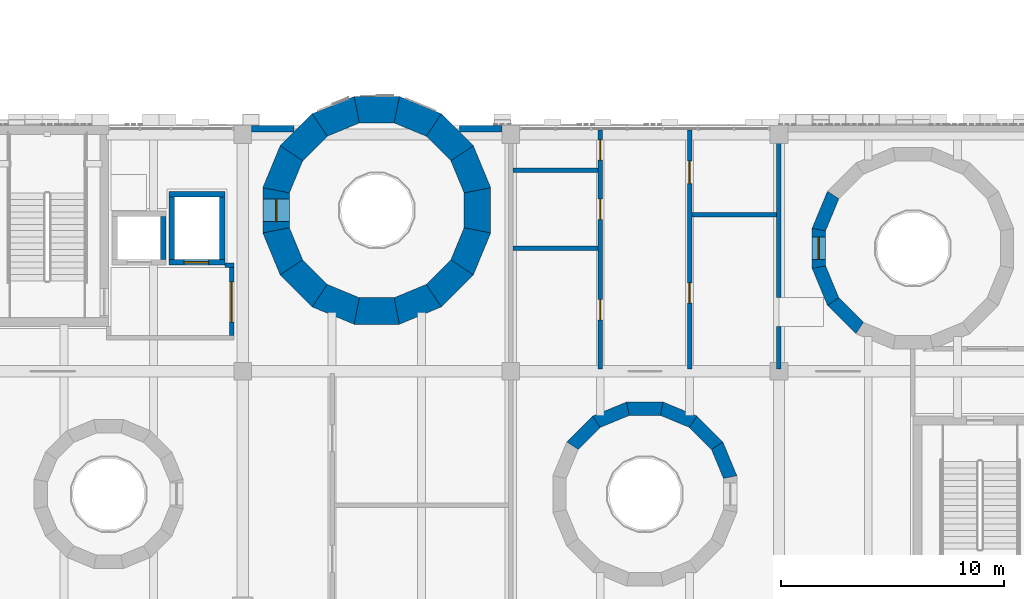
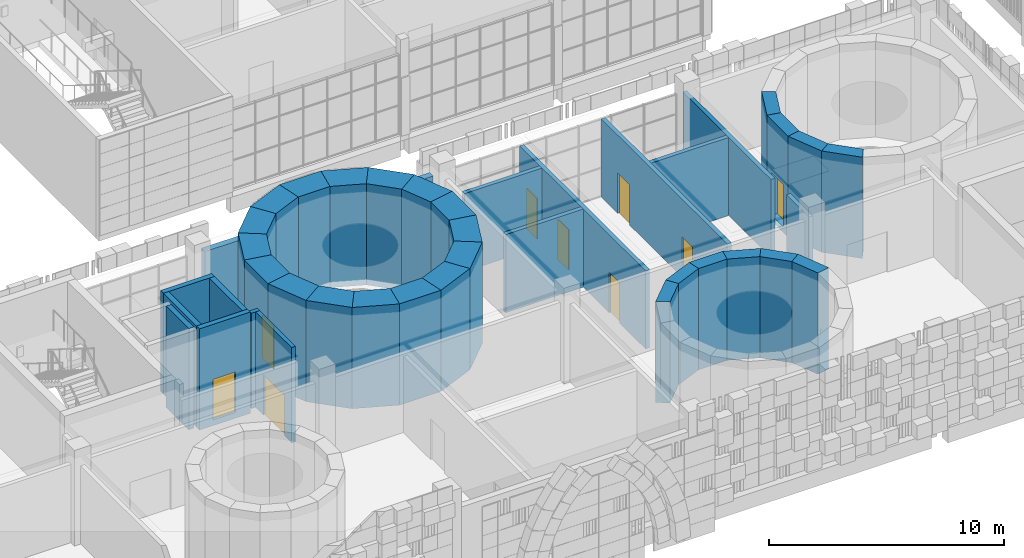
# One storey, part 66 of 125: 42 walls, 9 doors, 9 openings.
"""IFC4 building model written with IfcOpenShell, lengths in metres."""

import ifcopenshell
import ifcopenshell.guid

model = None  # the IFC model being written
_history = None  # IfcOwnerHistory: only IFC2X3 demands one
_inside = {}  # id of a spatial element -> (the spatial element, [elements in it])
_under = {}  # id of a project, library or spatial element -> (it, [spatial elements below it])
_declared = {}  # id of a project -> (the project, [libraries it declares])
_typed = {}  # id of a type object -> (the type object, [elements of that type])
_made_of = {}  # id of a material, layer set ... -> (it, [elements and type objects made of it])


def new_model(schema):
    """Start an empty IFC model of exactly this schema.

    Asked for "IFC4X3", IfcOpenShell would pick the latest addendum, in which some entities
    have other attributes; the version numbers below select the first issue.
    IFC2X3 requires an IfcOwnerHistory on every rooted entity: one is made here for all.
    """
    global model, _history
    if schema == "IFC4X3":
        model = ifcopenshell.file(schema_version=(4, 3, 0, 0))
    else:
        model = ifcopenshell.file(schema=schema)
    _inside.clear()
    _under.clear()
    _declared.clear()
    _typed.clear()
    _made_of.clear()
    _history = None
    if model.schema == "IFC2X3":
        org = make("IfcOrganization", Name="unknown")
        user = make(
            "IfcPersonAndOrganization",
            ThePerson=make("IfcPerson", FamilyName="unknown"),
            TheOrganization=org,
        )
        app = make(
            "IfcApplication",
            ApplicationDeveloper=org,
            Version="unknown",
            ApplicationFullName="unknown",
            ApplicationIdentifier="unknown",
        )
        _history = make(
            "IfcOwnerHistory",
            OwningUser=user,
            OwningApplication=app,
            ChangeAction="ADDED",
            CreationDate=0,
        )
    return model


def make(cls, **values):
    """One entity of the class cls with the attributes given. An attribute that is None is left unset."""
    return model.create_entity(
        cls, **{name: value for name, value in values.items() if value is not None}
    )


def rooted(cls, **values):
    """An entity with a GlobalId (a new one), such as an element, a storey or a relation."""
    return make(cls, GlobalId=ifcopenshell.guid.new(), OwnerHistory=_history, **values)


def si_unit(unit_type, name, prefix=None):
    """IfcSIUnit, for example si_unit("LENGTHUNIT", "METRE", prefix="MILLI")."""
    return make("IfcSIUnit", UnitType=unit_type, Prefix=prefix, Name=name)


def assignment(units):
    """IfcUnitAssignment: the units of a project."""
    return None if units is None else make("IfcUnitAssignment", Units=units)


def point(xyz):
    """IfcCartesianPoint."""
    return None if xyz is None else make("IfcCartesianPoint", Coordinates=xyz)


def direction(xyz):
    """IfcDirection."""
    return None if xyz is None else make("IfcDirection", DirectionRatios=xyz)


def frame(location, z_axis=None, x_axis=None):
    """IfcAxis2Placement3D, a coordinate frame: its origin and axes. An axis left out is left unset."""
    return make(
        "IfcAxis2Placement3D",
        Location=point(location),
        Axis=direction(z_axis),
        RefDirection=direction(x_axis),
    )


def frame_2d(location, x_axis=None):
    """IfcAxis2Placement2D, a coordinate frame in the plane: its origin and x axis."""
    return make(
        "IfcAxis2Placement2D", Location=point(location), RefDirection=direction(x_axis)
    )


def origin():
    """The frame at (0, 0, 0) with its axes left unset."""
    return frame((0.0, 0.0, 0.0))


def place(relative_to, where):
    """IfcLocalPlacement: puts the frame where relative to a parent placement (None: the world)."""
    return make(
        "IfcLocalPlacement", PlacementRelTo=relative_to, RelativePlacement=where
    )


def context(
    kind, dimensions, precision=None, world=None, true_north=None, identifier=None
):
    """IfcGeometricRepresentationContext, for example the 3D "Model" context."""
    return make(
        "IfcGeometricRepresentationContext",
        ContextIdentifier=identifier,
        ContextType=kind,
        CoordinateSpaceDimension=dimensions,
        Precision=precision,
        WorldCoordinateSystem=world,
        TrueNorth=true_north,
    )


def subcontext(parent, identifier, kind, view, scale=None):
    """IfcGeometricRepresentationSubContext, for example "Body" below "Model"."""
    return make(
        "IfcGeometricRepresentationSubContext",
        ContextIdentifier=identifier,
        ContextType=kind,
        ParentContext=parent,
        TargetScale=scale,
        TargetView=view,
    )


def project(units=None, contexts=None):
    """IfcProject with its units and contexts."""
    return rooted(
        "IfcProject",
        Name="project",
        RepresentationContexts=contexts,
        UnitsInContext=assignment(units),
    )


def spatial(cls, under=None, at=None, **own):
    """A site, building, storey or space (cls), placed at a placement, below another one or the project."""
    s = rooted(cls, ObjectPlacement=at, **own)
    if under is not None:
        _under.setdefault(under.id(), (under, []))[1].append(s)
    return s


def polyline(points):
    """IfcPolyline through the points."""
    return make("IfcPolyline", Points=[point(p) for p in points])


def profile(cls, at=None, kind="AREA", **sizes):
    """A parametric profile (cls). Its sizes go by their IFC names, for example OverallWidth=200.0."""
    return make(cls, ProfileType=kind, Position=at, **sizes)


def rectangle(**sizes):
    """IfcRectangleProfileDef."""
    return profile("IfcRectangleProfileDef", **sizes)


def outline(outer, holes=None, kind="AREA"):
    """IfcArbitraryClosedProfileDef: a profile drawn as a closed curve; with holes, ...WithVoids."""
    if holes is None:
        return make("IfcArbitraryClosedProfileDef", ProfileType=kind, OuterCurve=outer)
    return make(
        "IfcArbitraryProfileDefWithVoids",
        ProfileType=kind,
        OuterCurve=outer,
        InnerCurves=holes,
    )


def extrude(swept, where, along, depth):
    """IfcExtrudedAreaSolid: the profile swept, set in the frame where, extruded along a direction by depth."""
    return make(
        "IfcExtrudedAreaSolid",
        SweptArea=swept,
        Position=where,
        ExtrudedDirection=direction(along),
        Depth=depth,
    )


def shape(context_of_items, identifier, shape_type, items):
    """IfcShapeRepresentation: the items that make up one representation, for example the "Body"."""
    return make(
        "IfcShapeRepresentation",
        ContextOfItems=context_of_items,
        RepresentationIdentifier=identifier,
        RepresentationType=shape_type,
        Items=items,
    )


def material(Name=None, Category=None):
    """IfcMaterial."""
    return make("IfcMaterial", Name=Name, Category=Category)


def layer(
    of_material, thickness, ventilated=None, Name=None, Category=None, Priority=None
):
    """IfcMaterialLayer: one layer of a wall or slab, of a material (None: an air gap)."""
    return make(
        "IfcMaterialLayer",
        Material=of_material,
        LayerThickness=thickness,
        IsVentilated=ventilated,
        Name=Name,
        Category=Category,
        Priority=Priority,
    )


def layer_set(layers, Name=None):
    """IfcMaterialLayerSet."""
    return make("IfcMaterialLayerSet", MaterialLayers=layers, LayerSetName=Name)


def made_of(thing, what):
    """Note that an element or type object is made of a material, layer set ...; save() writes the relation."""
    if what is not None:
        _made_of.setdefault(what.id(), (what, []))[1].append(thing)
    return thing


def type_object(cls, material=None, **own):
    """A type object (cls), such as IfcWallType, which elements share."""
    return made_of(rooted(cls, **own), material)


def element(
    cls,
    number,
    at=None,
    inside=None,
    cuts=None,
    type_object=None,
    material=None,
    context=None,
    identifier="Body",
    shape_type=None,
    held_by="IfcProductDefinitionShape",
    body=None,
    shapes=None,
    **own,
):
    """One element of the class cls, such as IfcWall. Its Tag is "e" and its number.

    at: its placement. inside: the storey or other place that contains it. cuts: it is an
    opening in that element (IfcRelVoidsElement). A single representation is given by context,
    identifier, shape_type and body (its items); several are given by shapes. held_by: the class
    of the entity that holds the representations. save() writes the other relations.
    """
    e = rooted(cls, Tag="e%d" % number, ObjectPlacement=at, **own)
    if body is not None:
        shapes = [shape(context, identifier, shape_type, body)]
    if shapes is not None:
        e.Representation = make(held_by, Representations=shapes)
    if inside is not None:
        _inside.setdefault(inside.id(), (inside, []))[1].append(e)
    if cuts is not None:
        rooted(
            "IfcRelVoidsElement", RelatingBuildingElement=cuts, RelatedOpeningElement=e
        )
    if type_object is not None:
        _typed.setdefault(type_object.id(), (type_object, []))[1].append(e)
    return made_of(e, material)


def fill(opening, filler):
    """IfcRelFillsElement: the door or window that sits in an opening."""
    return rooted(
        "IfcRelFillsElement",
        RelatingOpeningElement=opening,
        RelatedBuildingElement=filler,
    )


def aggregate(whole, parts):
    """IfcRelAggregates: a whole, such as a stair, and the parts it consists of."""
    return rooted("IfcRelAggregates", RelatingObject=whole, RelatedObjects=parts)


def save(model, path):
    """Write the relations noted so far, then the file.

    IfcRelAggregates (storeys below a building ...), IfcRelContainedInSpatialStructure (elements
    in a storey), IfcRelDefinesByType, IfcRelAssociatesMaterial and IfcRelDeclares: one each for
    every whole, place, type object, material and project.
    """
    for whole, parts in _under.values():
        aggregate(whole, parts)
    for where, things in _inside.values():
        rooted(
            "IfcRelContainedInSpatialStructure",
            RelatedElements=things,
            RelatingStructure=where,
        )
    for kind, things in _typed.values():
        rooted("IfcRelDefinesByType", RelatedObjects=things, RelatingType=kind)
    for what, things in _made_of.values():
        rooted("IfcRelAssociatesMaterial", RelatedObjects=things, RelatingMaterial=what)
    for by, libraries in _declared.values():
        rooted("IfcRelDeclares", RelatingContext=by, RelatedDefinitions=libraries)
    model.write(path)


model = new_model("IFC4")

# Units and contexts
model_context = context("Model", 3, precision=1e-05, world=origin(), true_north=direction((0.0, 1.0)))
body_context = subcontext(model_context, "Body", "Model", "MODEL_VIEW")
ifc_project = project(units=[si_unit("LENGTHUNIT", "METRE"), si_unit("AREAUNIT", "SQUARE_METRE"), si_unit("VOLUMEUNIT", "CUBIC_METRE"), si_unit("PLANEANGLEUNIT", "RADIAN"), si_unit("MASSUNIT", "GRAM", prefix="KILO")], contexts=[model_context])

# Site, building, storey
site_placement = place(None, origin())
site = spatial("IfcSite", under=ifc_project, at=site_placement, CompositionType="ELEMENT")
building_placement = place(site_placement, origin())
building = spatial("IfcBuilding", under=site, at=building_placement, Name="Sun Court Science Centre", CompositionType="ELEMENT")
storey_placement = place(building_placement, frame((0.0, 0.0, 6.0)))
storey = spatial("IfcBuildingStorey", under=building, at=storey_placement, Name="L01", CompositionType="ELEMENT", Elevation=6.0)

# Walls
ifc_material_1 = material(Name="Clay masonry", Category="masonry")
ifc_layer_1 = layer(ifc_material_1, 0.300048828125)
ifc_layer_set_1 = layer_set([ifc_layer_1], Name="Clay masonry")
wall_type_1 = type_object("IfcWallType", Name="Clay masonry infill wall 300", PredefinedType="SOLIDWALL", material=ifc_layer_set_1)
for number, where, z_axis, x_axis, name in (
    (1, (36.39990234375, 27.85009765625, 0.0), (0.0, 0.0, 1.0), (1.0, 0.0, 0.0), "External infill wall L01 north face 04"),
    (2, (45.712646484375, 27.85009765625, 0.0), (0.0, 0.0, 1.0), (1.0, 0.0, 0.0), "External infill wall L01 north face 05"),
):
    element("IfcWall", number, at=place(storey_placement, frame(where, z_axis=z_axis, x_axis=x_axis)), inside=storey, type_object=wall_type_1, Name=name, PredefinedType="SOLIDWALL", context=body_context, shape_type="SweptSolid", body=[
        extrude(rectangle(XDim=1.887451171875, YDim=0.300048828125, at=frame_2d((0.94384765625, 0.0))), origin(), (0.0, 0.0, 1.0), 4.050048828125),
    ])
ifc_material_2 = material(Name="Concrete block", Category="concrete")
ifc_layer_2 = layer(ifc_material_2, 0.199951171875)
ifc_layer_set_2 = layer_set([ifc_layer_2], Name="Concrete block")
wall_type_2 = type_object("IfcWallType", Name="Partition 200 block EI60", PredefinedType="PARTITIONING", material=ifc_layer_set_2)
wall_1_placement = place(storey_placement, frame((35.201904296875, 21.75, 0.0), z_axis=(0.0, 0.0, 1.0), x_axis=(1.0, 0.0, 0.0)))
element("IfcWall", 3, at=wall_1_placement, inside=storey, type_object=wall_type_2, Name="L01 partition 005", PredefinedType="PARTITIONING", context=body_context, shape_type="SweptSolid", body=[
    extrude(rectangle(XDim=0.398193359375, YDim=0.199951171875, at=frame_2d((0.19921875, 0.0))), origin(), (0.0, 0.0, 1.0), 4.949951171875),
])

# Wall, openings, doors
wall_2_placement = place(storey_placement, frame((56.0, 27.800048828125, 0.0), z_axis=(0.0, 0.0, 1.0), x_axis=(0.0, -1.0, 0.0)))
wall_2 = element("IfcWall", 4, at=wall_2_placement, inside=storey, type_object=wall_type_2, Name="L01 partition 012", PredefinedType="PARTITIONING", context=body_context, shape_type="SweptSolid", body=[
    extrude(rectangle(XDim=10.699951171875, YDim=0.199951171875, at=frame_2d((5.35009765625, 0.0))), origin(), (0.0, 0.0, 1.0), 4.050048828125),
])
opening_1_placement = place(wall_2_placement, frame((6.84912109375, 0.0, 0.0)))
opening_1 = element("IfcOpeningElement", 5, at=opening_1_placement, cuts=wall_2, Name="Opening D-L01-004", PredefinedType="OPENING", context=body_context, shape_type="SweptSolid", body=[
    extrude(rectangle(XDim=0.89990234375, YDim=2.10009765625, at=frame_2d((0.449951171875, 1.050048828125))), frame((0.0, 0.10986328125, 0.0), z_axis=(0.0, -1.0, 0.0), x_axis=(1.0, 0.0, 0.0)), (0.0, 0.0, 1.0), 0.219970703125),
])
opening_2_placement = place(wall_2_placement, frame((1.40087890625, 0.0, 0.0)))
opening_2 = element("IfcOpeningElement", 6, at=opening_2_placement, cuts=wall_2, Name="Opening D-L01-005", PredefinedType="OPENING", context=body_context, shape_type="SweptSolid", body=[
    extrude(rectangle(XDim=1.0, YDim=2.10009765625, at=frame_2d((0.5, 1.050048828125))), frame((0.0, 0.10986328125, 0.0), z_axis=(0.0, -1.0, 0.0), x_axis=(1.0, 0.0, 0.0)), (0.0, 0.0, 1.0), 0.219970703125),
])
ifc_material_3 = material(Name="Steel", Category="steel")
door_type_1 = type_object("IfcDoorType", Name="Door 1000x2100 single leaf FD60", OperationType="NOTDEFINED", PredefinedType="DOOR", material=ifc_material_3)
door_1_placement = place(opening_2_placement, origin())
door_1 = element("IfcDoor", 7, at=door_1_placement, inside=storey, type_object=door_type_1, Name="Door D-L01-005", OperationType="SINGLE_SWING_RIGHT", OverallHeight=2.10009765625, OverallWidth=1.0, PredefinedType="DOOR", context=body_context, shape_type="SweptSolid", body=[
    extrude(rectangle(XDim=1.0, YDim=2.10009765625, at=frame_2d((0.5, 1.050048828125))), frame((0.0, 0.02490234375, 0.0), z_axis=(0.0, -1.0, 0.0), x_axis=(1.0, 0.0, 0.0)), (0.0, 0.0, 1.0), 0.050048828125),
])
fill(opening_2, door_1)
ifc_material_4 = material(Name="Timber", Category="wood")
door_type_2 = type_object("IfcDoorType", Name="Door 900x2100 single leaf", OperationType="NOTDEFINED", PredefinedType="DOOR", material=ifc_material_4)
door_2_placement = place(opening_1_placement, origin())
door_2 = element("IfcDoor", 8, at=door_2_placement, inside=storey, type_object=door_type_2, Name="Door D-L01-004", OperationType="SINGLE_SWING_LEFT", OverallHeight=2.10009765625, OverallWidth=0.89990234375, PredefinedType="DOOR", context=body_context, shape_type="SweptSolid", body=[
    extrude(rectangle(XDim=0.89990234375, YDim=2.10009765625, at=frame_2d((0.449951171875, 1.050048828125))), frame((0.0, 0.02490234375, 0.0), z_axis=(0.0, -1.0, 0.0), x_axis=(1.0, 0.0, 0.0)), (0.0, 0.0, 1.0), 0.050048828125),
])
fill(opening_1, door_2)

wall_3_placement = place(storey_placement, frame((52.0, 17.10009765625, 0.0), z_axis=(0.0, 0.0, 1.0), x_axis=(0.0, 1.0, 0.0)))
wall_3 = element("IfcWall", 9, at=wall_3_placement, inside=storey, type_object=wall_type_2, Name="L01 partition 013", PredefinedType="PARTITIONING", context=body_context, shape_type="SweptSolid", body=[
    extrude(rectangle(XDim=10.699951171875, YDim=0.199951171875, at=frame_2d((5.35009765625, 0.0))), origin(), (0.0, 0.0, 1.0), 4.050048828125),
])
opening_3_placement = place(wall_3_placement, frame((2.200927734375, 0.0, 0.0)))
opening_3 = element("IfcOpeningElement", 10, at=opening_3_placement, cuts=wall_3, Name="Opening D-L01-001", PredefinedType="OPENING", context=body_context, shape_type="SweptSolid", body=[
    extrude(rectangle(XDim=0.89990234375, YDim=2.10009765625, at=frame_2d((0.449951171875, 1.050048828125))), frame((0.0, 0.10986328125, 0.0), z_axis=(0.0, -1.0, 0.0), x_axis=(1.0, 0.0, 0.0)), (0.0, 0.0, 1.0), 0.219970703125),
])
opening_4_placement = place(wall_3_placement, frame((6.699951171875, 0.0, 0.0)))
opening_4 = element("IfcOpeningElement", 11, at=opening_4_placement, cuts=wall_3, Name="Opening D-L01-002", PredefinedType="OPENING", context=body_context, shape_type="SweptSolid", body=[
    extrude(rectangle(XDim=0.89990234375, YDim=2.10009765625, at=frame_2d((0.449951171875, 1.050048828125))), frame((0.0, 0.10986328125, 0.0), z_axis=(0.0, -1.0, 0.0), x_axis=(1.0, 0.0, 0.0)), (0.0, 0.0, 1.0), 0.219970703125),
])
opening_5_placement = place(wall_3_placement, frame((9.34912109375, 0.0, 0.0)))
opening_5 = element("IfcOpeningElement", 12, at=opening_5_placement, cuts=wall_3, Name="Opening D-L01-003", PredefinedType="OPENING", context=body_context, shape_type="SweptSolid", body=[
    extrude(rectangle(XDim=0.89990234375, YDim=2.10009765625, at=frame_2d((0.449951171875, 1.050048828125))), frame((0.0, 0.10986328125, 0.0), z_axis=(0.0, -1.0, 0.0), x_axis=(1.0, 0.0, 0.0)), (0.0, 0.0, 1.0), 0.219970703125),
])
door_3_placement = place(opening_3_placement, origin())
door_3 = element("IfcDoor", 13, at=door_3_placement, inside=storey, type_object=door_type_2, Name="Door D-L01-001", OperationType="SINGLE_SWING_RIGHT", OverallHeight=2.10009765625, OverallWidth=0.89990234375, PredefinedType="DOOR", context=body_context, shape_type="SweptSolid", body=[
    extrude(rectangle(XDim=0.89990234375, YDim=2.10009765625, at=frame_2d((0.449951171875, 1.050048828125))), frame((0.0, 0.02490234375, 0.0), z_axis=(0.0, -1.0, 0.0), x_axis=(1.0, 0.0, 0.0)), (0.0, 0.0, 1.0), 0.050048828125),
])
fill(opening_3, door_3)
door_4_placement = place(opening_4_placement, origin())
door_4 = element("IfcDoor", 14, at=door_4_placement, inside=storey, type_object=door_type_2, Name="Door D-L01-002", OperationType="SINGLE_SWING_LEFT", OverallHeight=2.10009765625, OverallWidth=0.89990234375, PredefinedType="DOOR", context=body_context, shape_type="SweptSolid", body=[
    extrude(rectangle(XDim=0.89990234375, YDim=2.10009765625, at=frame_2d((0.449951171875, 1.050048828125))), frame((0.0, 0.02490234375, 0.0), z_axis=(0.0, -1.0, 0.0), x_axis=(1.0, 0.0, 0.0)), (0.0, 0.0, 1.0), 0.050048828125),
])
fill(opening_4, door_4)
ifc_material_5 = material(Name="Steel", Category="steel")
door_type_3 = type_object("IfcDoorType", Name="Door 900x2100 single leaf FD30S", OperationType="NOTDEFINED", PredefinedType="DOOR", material=ifc_material_5)
door_5_placement = place(opening_5_placement, origin())
door_5 = element("IfcDoor", 15, at=door_5_placement, inside=storey, type_object=door_type_3, Name="Door D-L01-003", OperationType="SINGLE_SWING_LEFT", OverallHeight=2.10009765625, OverallWidth=0.89990234375, PredefinedType="DOOR", context=body_context, shape_type="SweptSolid", body=[
    extrude(rectangle(XDim=0.89990234375, YDim=2.10009765625, at=frame_2d((0.449951171875, 1.050048828125))), frame((0.0, 0.02490234375, 0.0), z_axis=(0.0, -1.0, 0.0), x_axis=(1.0, 0.0, 0.0)), (0.0, 0.0, 1.0), 0.050048828125),
])
fill(opening_5, door_5)

# Wall, opening, door
wall_4_placement = place(storey_placement, frame((35.5, 21.64990234375, 0.0), z_axis=(0.0, 0.0, 1.0), x_axis=(0.0, -1.0, 0.0)))
wall_4 = element("IfcWall", 16, at=wall_4_placement, inside=storey, type_object=wall_type_2, Name="L01 partition 016", PredefinedType="PARTITIONING", context=body_context, shape_type="SweptSolid", body=[
    extrude(rectangle(XDim=3.0498046875, YDim=0.199951171875, at=frame_2d((1.52490234375, 0.0))), origin(), (0.0, 0.0, 1.0), 4.949951171875),
])
opening_6_placement = place(wall_4_placement, frame((0.64990234375, 0.0, 0.0)))
opening_6 = element("IfcOpeningElement", 17, at=opening_6_placement, cuts=wall_4, Name="Opening D-L01-014", PredefinedType="OPENING", context=body_context, shape_type="SweptSolid", body=[
    extrude(rectangle(XDim=1.800048828125, YDim=2.10009765625, at=frame_2d((0.89990234375, 1.050048828125))), frame((0.0, 0.10986328125, 0.0), z_axis=(0.0, -1.0, 0.0), x_axis=(1.0, 0.0, 0.0)), (0.0, 0.0, 1.0), 0.219970703125),
])
ifc_material_6 = material(Name="Steel", Category="steel")
door_type_4 = type_object("IfcDoorType", Name="Door 1800x2100 double leaf FD60", OperationType="DOUBLE_DOOR_SINGLE_SWING", PredefinedType="DOOR", material=ifc_material_6)
door_6_placement = place(opening_6_placement, origin())
door_6 = element("IfcDoor", 18, at=door_6_placement, inside=storey, type_object=door_type_4, Name="Door D-L01-014", OperationType="DOUBLE_DOOR_SINGLE_SWING", OverallHeight=2.10009765625, OverallWidth=1.800048828125, PredefinedType="DOOR", context=body_context, shape_type="SweptSolid", body=[
    extrude(rectangle(XDim=1.800048828125, YDim=2.10009765625, at=frame_2d((0.89990234375, 1.050048828125))), frame((0.0, 0.02490234375, 0.0), z_axis=(0.0, -1.0, 0.0), x_axis=(1.0, 0.0, 0.0)), (0.0, 0.0, 1.0), 0.050048828125),
])
fill(opening_6, door_6)

# Walls
ifc_material_7 = material(Name="Gypsum board")
ifc_layer_3 = layer(ifc_material_7, 0.199951171875)
ifc_layer_set_3 = layer_set([ifc_layer_3], Name="Gypsum board")
wall_type_3 = type_object("IfcWallType", Name="Partition 200 stud EI30", PredefinedType="PARTITIONING", material=ifc_layer_set_3)
for number, where, z_axis, x_axis, name in (
    (19, (48.10009765625, 22.5, 0.0), (0.0, 0.0, 1.0), (1.0, 0.0, 0.0), "L01 partition 006"),
    (20, (56.10009765625, 24.0, 0.0), (0.0, 0.0, 1.0), (1.0, 0.0, 0.0), "L01 partition 007"),
    (21, (48.10009765625, 26.0, 0.0), (0.0, 0.0, 1.0), (1.0, 0.0, 0.0), "L01 partition 008"),
):
    element("IfcWall", number, at=place(storey_placement, frame(where, z_axis=z_axis, x_axis=x_axis)), inside=storey, type_object=wall_type_3, Name=name, PredefinedType="PARTITIONING", context=body_context, shape_type="SweptSolid", body=[
        extrude(rectangle(XDim=3.7998046875, YDim=0.199951171875, at=frame_2d((1.89990234375, 0.0))), origin(), (0.0, 0.0, 1.0), 4.050048828125),
    ])
wall_5_placement = place(storey_placement, frame((60.0, 17.10009765625, 0.0), z_axis=(0.0, 0.0, 1.0), x_axis=(0.0, 1.0, 0.0)))
element("IfcWall", 22, at=wall_5_placement, inside=storey, type_object=wall_type_3, Name="L01 partition 010", PredefinedType="PARTITIONING", context=body_context, shape_type="SweptSolid", body=[
    extrude(rectangle(XDim=1.89990234375, YDim=0.199951171875, at=frame_2d((0.949951171875, 0.0))), origin(), (0.0, 0.0, 1.0), 4.050048828125),
])
wall_6_placement = place(storey_placement, frame((60.0, 20.300048828125, 0.0), z_axis=(0.0, 0.0, 1.0), x_axis=(0.0, 1.0, 0.0)))
element("IfcWall", 23, at=wall_6_placement, inside=storey, type_object=wall_type_3, Name="L01 partition 011", PredefinedType="PARTITIONING", context=body_context, shape_type="SweptSolid", body=[
    extrude(rectangle(XDim=7.5, YDim=0.199951171875, at=frame_2d((3.75, 0.0))), origin(), (0.0, 0.0, 1.0), 4.050048828125),
])
ifc_material_8 = material(Name="Concrete C30/37", Category="concrete")
ifc_layer_4 = layer(ifc_material_8, 1.18798828125)
ifc_layer_set_4 = layer_set([ifc_layer_4], Name="Concrete C30/37")
wall_type_4 = type_object("IfcWallType", Name="RC cone ring wall 1188", PredefinedType="SHEAR", material=ifc_layer_set_4)
wall_7_placement = place(storey_placement, frame((46.551025390625, 24.987060546875, -0.300048828125), z_axis=(0.0, 0.0, 1.0), x_axis=(-0.382649360562, 0.923893644778, 0.0)))
element("IfcWall", 24, at=wall_7_placement, inside=storey, type_object=wall_type_4, Name="Cone 4 ring wall L01 segment 1", PredefinedType="SHEAR", context=body_context, shape_type="SweptSolid", body=[
    extrude(outline(polyline([(0.0, -0.59423828125), (2.029052734375, -0.59423828125), (1.79248046875, 0.59423828125), (0.236328125, 0.59423828125), (0.0, -0.59423828125)])), origin(), (0.0, 0.0, 1.0), 5.25),
])
wall_8_placement = place(storey_placement, frame((45.903564453125, 26.668701171875, -0.300048828125), z_axis=(0.0, 0.0, 1.0), x_axis=(-0.707106781187, 0.707106781187, 0.0)))
element("IfcWall", 25, at=wall_8_placement, inside=storey, type_object=wall_type_4, Name="Cone 4 ring wall L01 segment 2", PredefinedType="SHEAR", context=body_context, shape_type="SweptSolid", body=[
    extrude(outline(polyline([(0.000244140625, -0.59423828125), (2.029052734375, -0.59423828125), (1.792724609375, 0.59423828125), (0.236572265625, 0.59423828125), (0.000244140625, -0.59423828125)])), origin(), (0.0, 0.0, 1.0), 5.25),
])
wall_9_placement = place(storey_placement, frame((44.66162109375, 27.974609375, -0.300048828125), z_axis=(0.0, 0.0, 1.0), x_axis=(-0.923893644778, 0.382649360562, 0.0)))
element("IfcWall", 26, at=wall_9_placement, inside=storey, type_object=wall_type_4, Name="Cone 4 ring wall L01 segment 3", PredefinedType="SHEAR", context=body_context, shape_type="SweptSolid", body=[
    extrude(outline(polyline([(0.0, -0.59423828125), (2.029052734375, -0.59423828125), (1.792724609375, 0.59423828125), (0.236328125, 0.59423828125), (0.0, -0.59423828125)])), origin(), (0.0, 0.0, 1.0), 5.25),
])
for number, where, z_axis, x_axis, name in (
    (27, (43.014404296875, 28.705810546875, -0.300048828125), (0.0, 0.0, 1.0), (-1.0, 0.0, 0.0), "Cone 4 ring wall L01 segment 4"),
    (28, (41.212890625, 28.7509765625, -0.300048828125), (0.0, 0.0, 1.0), (-0.923893644778, -0.382649360562, 0.0), "Cone 4 ring wall L01 segment 5"),
):
    element("IfcWall", number, at=place(storey_placement, frame(where, z_axis=z_axis, x_axis=x_axis)), inside=storey, type_object=wall_type_4, Name=name, PredefinedType="SHEAR", context=body_context, shape_type="SweptSolid", body=[
        extrude(outline(polyline([(0.0, -0.59423828125), (2.02880859375, -0.59423828125), (1.79248046875, 0.59423828125), (0.236328125, 0.59423828125), (0.0, -0.59423828125)])), origin(), (0.0, 0.0, 1.0), 5.25),
    ])
wall_10_placement = place(storey_placement, frame((39.53125, 28.103515625, -0.300048828125), z_axis=(0.0, 0.0, 1.0), x_axis=(-0.707106781187, -0.707106781187, 0.0)))
element("IfcWall", 29, at=wall_10_placement, inside=storey, type_object=wall_type_4, Name="Cone 4 ring wall L01 segment 6", PredefinedType="SHEAR", context=body_context, shape_type="SweptSolid", body=[
    extrude(outline(polyline([(0.0, -0.59423828125), (2.02880859375, -0.59423828125), (1.792724609375, 0.59423828125), (0.236572265625, 0.59423828125), (0.0, -0.59423828125)])), origin(), (0.0, 0.0, 1.0), 5.25),
])
wall_11_placement = place(storey_placement, frame((38.225341796875, 26.861572265625, -0.300048828125), z_axis=(0.0, 0.0, 1.0), x_axis=(-0.382649360562, -0.923893644778, 0.0)))
element("IfcWall", 30, at=wall_11_placement, inside=storey, type_object=wall_type_4, Name="Cone 4 ring wall L01 segment 7", PredefinedType="SHEAR", context=body_context, shape_type="SweptSolid", body=[
    extrude(outline(polyline([(-0.000244140625, -0.59423828125), (2.02880859375, -0.59423828125), (1.792724609375, 0.59423828125), (0.236328125, 0.59423828125), (-0.000244140625, -0.59423828125)])), origin(), (0.0, 0.0, 1.0), 5.25),
])

# Wall, opening, door
wall_12_placement = place(storey_placement, frame((37.494140625, 25.21435546875, -0.300048828125), z_axis=(0.0, 0.0, 1.0), x_axis=(0.0, -1.0, 0.0)))
wall_12 = element("IfcWall", 31, at=wall_12_placement, inside=storey, type_object=wall_type_4, Name="Cone 4 ring wall L01 segment 8", PredefinedType="SHEAR", context=body_context, shape_type="SweptSolid", body=[
    extrude(outline(polyline([(-0.000244140625, -0.59423828125), (2.02880859375, -0.59423828125), (1.79248046875, 0.59423828125), (0.236328125, 0.59423828125), (-0.000244140625, -0.59423828125)])), origin(), (0.0, 0.0, 1.0), 5.25),
])
opening_7_placement = place(wall_12_placement, frame((0.514404296875, 0.0, 0.300048828125)))
opening_7 = element("IfcOpeningElement", 32, at=opening_7_placement, cuts=wall_12, Name="Opening D-L01-023", PredefinedType="OPENING", context=body_context, shape_type="SweptSolid", body=[
    extrude(rectangle(XDim=1.0, YDim=2.199951171875, at=frame_2d((0.5, 1.10009765625))), frame((0.0, 0.604248046875, 0.0), z_axis=(0.0, -1.0, 0.0), x_axis=(1.0, 0.0, 0.0)), (0.0, 0.0, 1.0), 1.20849609375),
])
ifc_material_9 = material(Name="Timber", Category="wood")
door_type_5 = type_object("IfcDoorType", Name="Door 1000x2200 single leaf", OperationType="NOTDEFINED", PredefinedType="DOOR", material=ifc_material_9)
door_7_placement = place(opening_7_placement, origin())
door_7 = element("IfcDoor", 33, at=door_7_placement, inside=storey, type_object=door_type_5, Name="Door D-L01-023", OperationType="SINGLE_SWING_LEFT", OverallHeight=2.199951171875, OverallWidth=1.0, PredefinedType="DOOR", context=body_context, shape_type="SweptSolid", body=[
    extrude(rectangle(XDim=1.0, YDim=2.199951171875, at=frame_2d((0.5, 1.10009765625))), frame((0.0, 0.02490234375, 0.0), z_axis=(0.0, -1.0, 0.0), x_axis=(1.0, 0.0, 0.0)), (0.0, 0.0, 1.0), 0.050048828125),
])
fill(opening_7, door_7)

# Walls
wall_13_placement = place(storey_placement, frame((37.448974609375, 23.412841796875, -0.300048828125), z_axis=(0.0, 0.0, 1.0), x_axis=(0.382649360562, -0.923893644778, 0.0)))
element("IfcWall", 34, at=wall_13_placement, inside=storey, type_object=wall_type_4, Name="Cone 4 ring wall L01 segment 9", PredefinedType="SHEAR", context=body_context, shape_type="SweptSolid", body=[
    extrude(outline(polyline([(0.0, -0.59423828125), (2.02880859375, -0.593994140625), (1.79248046875, 0.59423828125), (0.236328125, 0.59423828125), (0.0, -0.59423828125)])), origin(), (0.0, 0.0, 1.0), 5.25),
])
wall_14_placement = place(storey_placement, frame((38.096435546875, 21.731201171875, -0.300048828125), z_axis=(0.0, 0.0, 1.0), x_axis=(0.707166942566, -0.707046614688, 0.0)))
element("IfcWall", 35, at=wall_14_placement, inside=storey, type_object=wall_type_4, Name="Cone 4 ring wall L01 segment 10", PredefinedType="SHEAR", context=body_context, shape_type="SweptSolid", body=[
    extrude(outline(polyline([(0.000244140625, -0.593994140625), (2.02880859375, -0.59423828125), (1.792724609375, 0.593994140625), (0.236572265625, 0.59423828125), (0.000244140625, -0.593994140625)])), origin(), (0.0, 0.0, 1.0), 5.25),
])
wall_15_placement = place(storey_placement, frame((39.33837890625, 20.42529296875, -0.300048828125), z_axis=(0.0, 0.0, 1.0), x_axis=(0.923893644778, -0.382649360562, 0.0)))
element("IfcWall", 36, at=wall_15_placement, inside=storey, type_object=wall_type_4, Name="Cone 4 ring wall L01 segment 11", PredefinedType="SHEAR", context=body_context, shape_type="SweptSolid", body=[
    extrude(outline(polyline([(0.0, -0.593994140625), (2.029052734375, -0.59423828125), (1.792724609375, 0.59423828125), (0.236328125, 0.59423828125), (0.0, -0.593994140625)])), origin(), (0.0, 0.0, 1.0), 5.25),
])
wall_16_placement = place(storey_placement, frame((40.985595703125, 19.694091796875, -0.300048828125), z_axis=(0.0, 0.0, 1.0), x_axis=(1.0, 0.0, 0.0)))
element("IfcWall", 37, at=wall_16_placement, inside=storey, type_object=wall_type_4, Name="Cone 4 ring wall L01 segment 12", PredefinedType="SHEAR", context=body_context, shape_type="SweptSolid", body=[
    extrude(outline(polyline([(0.0, -0.59423828125), (2.02880859375, -0.59423828125), (1.79248046875, 0.59423828125), (0.236328125, 0.59423828125), (0.0, -0.59423828125)])), origin(), (0.0, 0.0, 1.0), 5.25),
])
wall_17_placement = place(storey_placement, frame((42.787109375, 19.64892578125, -0.300048828125), z_axis=(0.0, 0.0, 1.0), x_axis=(0.923893644778, 0.382649360562, 0.0)))
element("IfcWall", 38, at=wall_17_placement, inside=storey, type_object=wall_type_4, Name="Cone 4 ring wall L01 segment 13", PredefinedType="SHEAR", context=body_context, shape_type="SweptSolid", body=[
    extrude(outline(polyline([(0.0, -0.59423828125), (2.02880859375, -0.593994140625), (1.79248046875, 0.59423828125), (0.236328125, 0.59423828125), (0.0, -0.59423828125)])), origin(), (0.0, 0.0, 1.0), 5.25),
])
wall_18_placement = place(storey_placement, frame((44.46875, 20.296630859375, -0.300048828125), z_axis=(0.0, 0.0, 1.0), x_axis=(0.707166942566, 0.707046614688, 0.0)))
element("IfcWall", 39, at=wall_18_placement, inside=storey, type_object=wall_type_4, Name="Cone 4 ring wall L01 segment 14", PredefinedType="SHEAR", context=body_context, shape_type="SweptSolid", body=[
    extrude(outline(polyline([(0.0, -0.59423828125), (2.02880859375, -0.593994140625), (1.79248046875, 0.59423828125), (0.236328125, 0.593994140625), (0.0, -0.59423828125)])), origin(), (0.0, 0.0, 1.0), 5.25),
])
wall_19_placement = place(storey_placement, frame((45.774658203125, 21.538330078125, -0.300048828125), z_axis=(0.0, 0.0, 1.0), x_axis=(0.382649360562, 0.923893644778, 0.0)))
element("IfcWall", 40, at=wall_19_placement, inside=storey, type_object=wall_type_4, Name="Cone 4 ring wall L01 segment 15", PredefinedType="SHEAR", context=body_context, shape_type="SweptSolid", body=[
    extrude(outline(polyline([(0.0, -0.593994140625), (2.029052734375, -0.59423828125), (1.792724609375, 0.59423828125), (0.236328125, 0.59423828125), (0.0, -0.593994140625)])), origin(), (0.0, 0.0, 1.0), 5.25),
])
wall_20_placement = place(storey_placement, frame((46.505859375, 23.185546875, -0.300048828125), z_axis=(0.0, 0.0, 1.0), x_axis=(0.0, 1.0, 0.0)))
element("IfcWall", 41, at=wall_20_placement, inside=storey, type_object=wall_type_4, Name="Cone 4 ring wall L01 segment 16", PredefinedType="SHEAR", context=body_context, shape_type="SweptSolid", body=[
    extrude(outline(polyline([(0.0, -0.59423828125), (2.029052734375, -0.59423828125), (1.79248046875, 0.59423828125), (0.236328125, 0.59423828125), (0.0, -0.59423828125)])), origin(), (0.0, 0.0, 1.0), 5.25),
])
ifc_material_10 = material(Name="Concrete C30/37", Category="concrete")
ifc_layer_5 = layer(ifc_material_10, 0.60009765625)
ifc_layer_set_5 = layer_set([ifc_layer_5], Name="Concrete C30/37")
wall_type_5 = type_object("IfcWallType", Name="RC cone ring wall 600", PredefinedType="SHEAR", material=ifc_layer_set_5)
wall_21_placement = place(storey_placement, frame((57.842041015625, 12.20458984375, -0.300048828125), z_axis=(0.0, 0.0, 1.0), x_axis=(-0.382614973625, 0.923907886078, 0.0)))
element("IfcWall", 42, at=wall_21_placement, inside=storey, type_object=wall_type_5, Name="Cone 5 ring wall L01 segment 1", PredefinedType="SHEAR", context=body_context, shape_type="SweptSolid", body=[
    extrude(outline(polyline([(0.0, -0.300048828125), (1.638916015625, -0.300048828125), (1.519287109375, 0.30029296875), (0.119140625, 0.300048828125), (0.0, -0.300048828125)])), origin(), (0.0, 0.0, 1.0), 5.25),
])
wall_22_placement = place(storey_placement, frame((57.280029296875, 13.621337890625, -0.300048828125), z_axis=(0.0, 0.0, 1.0), x_axis=(-0.707106781187, 0.707106781187, 0.0)))
element("IfcWall", 43, at=wall_22_placement, inside=storey, type_object=wall_type_5, Name="Cone 5 ring wall L01 segment 2", PredefinedType="SHEAR", context=body_context, shape_type="SweptSolid", body=[
    extrude(outline(polyline([(0.0, -0.300048828125), (1.638671875, -0.300048828125), (1.519287109375, 0.30029296875), (0.119384765625, 0.30029296875), (0.0, -0.300048828125)])), origin(), (0.0, 0.0, 1.0), 5.25),
])
wall_23_placement = place(storey_placement, frame((56.218505859375, 14.715087890625, -0.300048828125), z_axis=(0.0, 0.0, 1.0), x_axis=(-0.923907886078, 0.382614973625, 0.0)))
element("IfcWall", 44, at=wall_23_placement, inside=storey, type_object=wall_type_5, Name="Cone 5 ring wall L01 segment 3", PredefinedType="SHEAR", context=body_context, shape_type="SweptSolid", body=[
    extrude(outline(polyline([(-0.000244140625, -0.300048828125), (1.638671875, -0.300048828125), (1.519287109375, 0.300048828125), (0.119384765625, 0.30029296875), (-0.000244140625, -0.300048828125)])), origin(), (0.0, 0.0, 1.0), 5.25),
])
wall_24_placement = place(storey_placement, frame((54.8193359375, 15.3193359375, -0.300048828125), z_axis=(0.0, 0.0, 1.0), x_axis=(-1.0, 0.0, 0.0)))
element("IfcWall", 45, at=wall_24_placement, inside=storey, type_object=wall_type_5, Name="Cone 5 ring wall L01 segment 4", PredefinedType="SHEAR", context=body_context, shape_type="SweptSolid", body=[
    extrude(outline(polyline([(0.0, -0.300048828125), (1.638671875, -0.300048828125), (1.519287109375, 0.300048828125), (0.119384765625, 0.300048828125), (0.0, -0.300048828125)])), origin(), (0.0, 0.0, 1.0), 5.25),
])
wall_25_placement = place(storey_placement, frame((53.29541015625, 15.342041015625, -0.300048828125), z_axis=(0.0, 0.0, 1.0), x_axis=(-0.923907886078, -0.382614973625, 0.0)))
element("IfcWall", 46, at=wall_25_placement, inside=storey, type_object=wall_type_5, Name="Cone 5 ring wall L01 segment 5", PredefinedType="SHEAR", context=body_context, shape_type="SweptSolid", body=[
    extrude(outline(polyline([(0.0, -0.300048828125), (1.638916015625, -0.300048828125), (1.519287109375, 0.30029296875), (0.119140625, 0.300048828125), (0.0, -0.300048828125)])), origin(), (0.0, 0.0, 1.0), 5.25),
])
wall_26_placement = place(storey_placement, frame((51.878662109375, 14.780029296875, -0.300048828125), z_axis=(0.0, 0.0, 1.0), x_axis=(-0.707106781187, -0.707106781187, 0.0)))
element("IfcWall", 47, at=wall_26_placement, inside=storey, type_object=wall_type_5, Name="Cone 5 ring wall L01 segment 6", PredefinedType="SHEAR", context=body_context, shape_type="SweptSolid", body=[
    extrude(outline(polyline([(0.0, -0.300048828125), (1.638671875, -0.300048828125), (1.519287109375, 0.30029296875), (0.119384765625, 0.30029296875), (0.0, -0.300048828125)])), origin(), (0.0, 0.0, 1.0), 5.25),
])
wall_27_placement = place(storey_placement, frame((62.452392578125, 24.94091796875, -0.300048828125), z_axis=(0.0, 0.0, 1.0), x_axis=(-0.3826441282, -0.92389581185, 0.0)))
element("IfcWall", 48, at=wall_27_placement, inside=storey, type_object=wall_type_5, Name="Cone 6 ring wall L01 segment 7", PredefinedType="SHEAR", context=body_context, shape_type="SweptSolid", body=[
    extrude(outline(polyline([(0.0, -0.2998046875), (1.794921875, -0.300048828125), (1.675537109375, 0.300048828125), (0.119384765625, 0.300048828125), (0.0, -0.2998046875)])), origin(), (0.0, 0.0, 1.0), 5.25),
])

# Wall, opening, door
wall_28_placement = place(storey_placement, frame((61.788330078125, 23.3974609375, -0.300048828125), z_axis=(0.0, 0.0, 1.0), x_axis=(0.0, -1.0, 0.0)))
wall_28 = element("IfcWall", 49, at=wall_28_placement, inside=storey, type_object=wall_type_5, Name="Cone 6 ring wall L01 segment 8", PredefinedType="SHEAR", context=body_context, shape_type="SweptSolid", body=[
    extrude(outline(polyline([(0.0, -0.300048828125), (1.794921875, -0.300048828125), (1.675537109375, 0.300048828125), (0.119384765625, 0.300048828125), (0.0, -0.300048828125)])), origin(), (0.0, 0.0, 1.0), 5.25),
])
opening_8_placement = place(wall_28_placement, frame((0.3974609375, 0.0, 0.300048828125)))
opening_8 = element("IfcOpeningElement", 50, at=opening_8_placement, cuts=wall_28, Name="Opening D-L01-025", PredefinedType="OPENING", context=body_context, shape_type="SweptSolid", body=[
    extrude(rectangle(XDim=1.0, YDim=2.199951171875, at=frame_2d((0.5, 1.10009765625))), frame((0.0, 0.31005859375, 0.0), z_axis=(0.0, -1.0, 0.0), x_axis=(1.0, 0.0, 0.0)), (0.0, 0.0, 1.0), 0.6201171875),
])
door_8_placement = place(opening_8_placement, origin())
door_8 = element("IfcDoor", 51, at=door_8_placement, inside=storey, type_object=door_type_5, Name="Door D-L01-025", OperationType="SINGLE_SWING_LEFT", OverallHeight=2.199951171875, OverallWidth=1.0, PredefinedType="DOOR", context=body_context, shape_type="SweptSolid", body=[
    extrude(rectangle(XDim=1.0, YDim=2.199951171875, at=frame_2d((0.5, 1.10009765625))), frame((0.0, 0.02490234375, 0.0), z_axis=(0.0, -1.0, 0.0), x_axis=(1.0, 0.0, 0.0)), (0.0, 0.0, 1.0), 0.050048828125),
])
fill(opening_8, door_8)

# Walls
wall_29_placement = place(storey_placement, frame((61.765625, 21.71728515625, -0.300048828125), z_axis=(0.0, 0.0, 1.0), x_axis=(0.3826441282, -0.92389581185, 0.0)))
element("IfcWall", 52, at=wall_29_placement, inside=storey, type_object=wall_type_5, Name="Cone 6 ring wall L01 segment 9", PredefinedType="SHEAR", context=body_context, shape_type="SweptSolid", body=[
    extrude(outline(polyline([(0.0, -0.300048828125), (1.794677734375, -0.2998046875), (1.67529296875, 0.300048828125), (0.119140625, 0.300048828125), (0.0, -0.300048828125)])), origin(), (0.0, 0.0, 1.0), 5.25),
])
wall_30_placement = place(storey_placement, frame((62.387451171875, 20.156494140625, -0.300048828125), z_axis=(0.0, 0.0, 1.0), x_axis=(0.707106781187, -0.707106781187, 0.0)))
element("IfcWall", 53, at=wall_30_placement, inside=storey, type_object=wall_type_5, Name="Cone 6 ring wall L01 segment 10", PredefinedType="SHEAR", context=body_context, shape_type="SweptSolid", body=[
    extrude(outline(polyline([(0.0, -0.300048828125), (1.794677734375, -0.300048828125), (1.67529296875, 0.2998046875), (0.119384765625, 0.2998046875), (0.0, -0.300048828125)])), origin(), (0.0, 0.0, 1.0), 5.25),
])
ifc_material_11 = material(Name="Concrete C30/37", Category="concrete")
ifc_layer_6 = layer(ifc_material_11, 0.25)
ifc_layer_set_6 = layer_set([ifc_layer_6], Name="Concrete C30/37")
wall_type_6 = type_object("IfcWallType", Name="RC shaft wall 250", PredefinedType="SHEAR", material=ifc_layer_set_6)
wall_31_placement = place(storey_placement, frame((32.447509765625, 21.99755859375, -0.300048828125), z_axis=(0.0, 0.0, 1.0), x_axis=(0.0, 1.0, 0.0)))
element("IfcWall", 54, at=wall_31_placement, inside=storey, type_object=wall_type_6, Name="Lift core LB1 wall E, L01", PredefinedType="SHEAR", context=body_context, shape_type="SweptSolid", body=[
    extrude(rectangle(XDim=1.925048828125, YDim=0.25, at=frame_2d((0.96240234375, 0.0))), origin(), (0.0, 0.0, 1.0), 5.25),
])

# Wall, opening, door
wall_32_placement = place(storey_placement, frame((32.699951171875, 21.875, -0.300048828125), z_axis=(0.0, 0.0, 1.0), x_axis=(1.0, 0.0, 0.0)))
wall_32 = element("IfcWall", 55, at=wall_32_placement, inside=storey, type_object=wall_type_6, Name="Lift core LB2 wall S, L01", PredefinedType="SHEAR", context=body_context, shape_type="SweptSolid", body=[
    extrude(rectangle(XDim=2.5, YDim=0.25, at=frame_2d((1.25, 0.0))), origin(), (0.0, 0.0, 1.0), 5.25),
])
opening_9_placement = place(wall_32_placement, frame((0.674072265625, 0.0, 0.300048828125)))
opening_9 = element("IfcOpeningElement", 56, at=opening_9_placement, cuts=wall_32, Name="Opening D-L01-010", PredefinedType="OPENING", context=body_context, shape_type="SweptSolid", body=[
    extrude(rectangle(XDim=1.10009765625, YDim=2.10009765625, at=frame_2d((0.550048828125, 1.050048828125))), frame((0.0, 0.135009765625, 0.0), z_axis=(0.0, -1.0, 0.0), x_axis=(1.0, 0.0, 0.0)), (0.0, 0.0, 1.0), 0.27001953125),
])
ifc_material_12 = material(Name="Steel", Category="steel")
door_type_6 = type_object("IfcDoorType", Name="Lift landing door 1100x2100 sliding", OperationType="DOUBLE_DOOR_SLIDING", PredefinedType="DOOR", material=ifc_material_12)
door_9_placement = place(opening_9_placement, origin())
door_9 = element("IfcDoor", 57, at=door_9_placement, inside=storey, type_object=door_type_6, Name="Lift landing door D-L01-010", OperationType="DOUBLE_DOOR_SLIDING", OverallHeight=2.10009765625, OverallWidth=1.10009765625, PredefinedType="DOOR", context=body_context, shape_type="SweptSolid", body=[
    extrude(rectangle(XDim=1.10009765625, YDim=2.10009765625, at=frame_2d((0.550048828125, 1.050048828125))), frame((0.0, 0.02490234375, 0.0), z_axis=(0.0, -1.0, 0.0), x_axis=(1.0, 0.0, 0.0)), (0.0, 0.0, 1.0), 0.050048828125),
])
fill(opening_9, door_9)

# Walls
wall_33_placement = place(storey_placement, frame((35.074951171875, 22.0, -0.300048828125), z_axis=(0.0, 0.0, 1.0), x_axis=(0.0, 1.0, 0.0)))
element("IfcWall", 58, at=wall_33_placement, inside=storey, type_object=wall_type_6, Name="Lift core LB2 wall E, L01", PredefinedType="SHEAR", context=body_context, shape_type="SweptSolid", body=[
    extrude(rectangle(XDim=2.800048828125, YDim=0.25, at=frame_2d((1.39990234375, 0.0))), origin(), (0.0, 0.0, 1.0), 5.25),
])
wall_34_placement = place(storey_placement, frame((32.699951171875, 24.925048828125, -0.300048828125), z_axis=(0.0, 0.0, 1.0), x_axis=(1.0, 0.0, 0.0)))
element("IfcWall", 59, at=wall_34_placement, inside=storey, type_object=wall_type_6, Name="Lift core LB2 wall N, L01", PredefinedType="SHEAR", context=body_context, shape_type="SweptSolid", body=[
    extrude(rectangle(XDim=2.5, YDim=0.25, at=frame_2d((1.25, 0.0))), origin(), (0.0, 0.0, 1.0), 5.25),
])
wall_35_placement = place(storey_placement, frame((32.824951171875, 22.0, -0.300048828125), z_axis=(0.0, 0.0, 1.0), x_axis=(0.0, 1.0, 0.0)))
element("IfcWall", 60, at=wall_35_placement, inside=storey, type_object=wall_type_6, Name="Lift core LB2 wall W, L01", PredefinedType="SHEAR", context=body_context, shape_type="SweptSolid", body=[
    extrude(rectangle(XDim=2.800048828125, YDim=0.25, at=frame_2d((1.39990234375, 0.0))), origin(), (0.0, 0.0, 1.0), 5.25),
])

save(model, "model.ifc")
